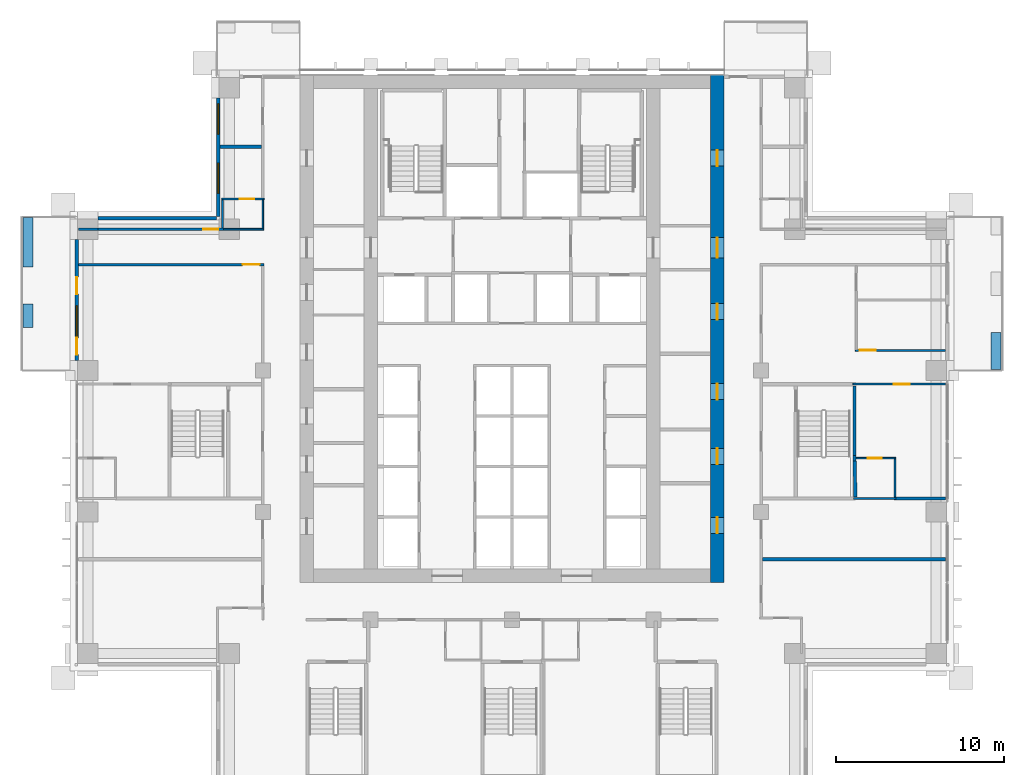
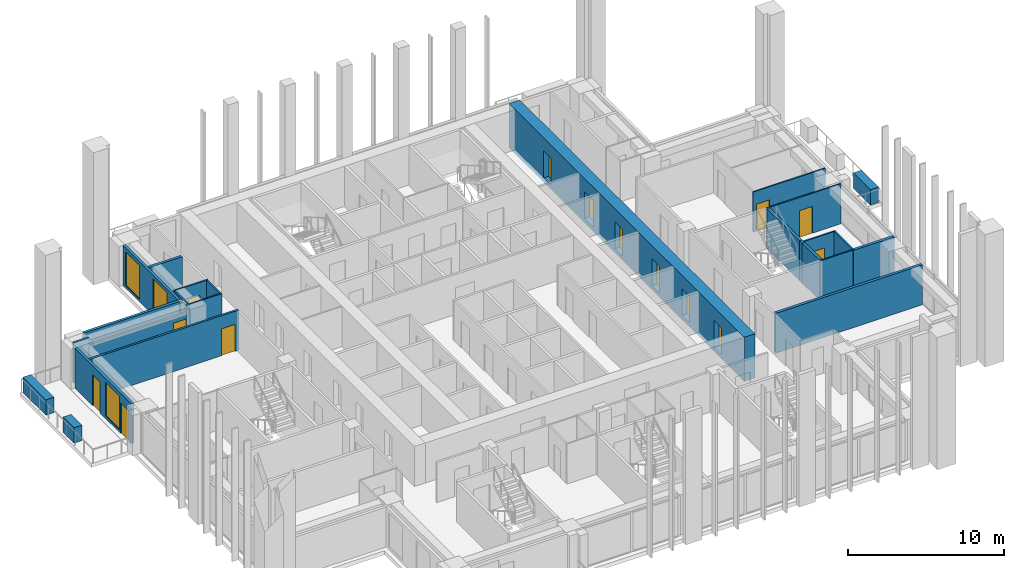
# One storey, part 10 of 18: 26 walls, 14 doors, 3 windows, 17 openings.
"""IFC4 building model written with IfcOpenShell, lengths in metres."""

from ifc_helpers import new_model, si_unit, direction, frame, frame_2d, origin, place, context, subcontext, project, spatial, rectangle, extrude, material, layer, layer_set, type_object, element, fill, save


model = new_model("IFC4")

# Units and contexts
model_context = context("Model", 3, precision=1e-05, world=origin(), true_north=direction((0.0, 1.0)))
body_context = subcontext(model_context, "Body", "Model", "MODEL_VIEW")
ifc_project = project(units=[si_unit("LENGTHUNIT", "METRE"), si_unit("AREAUNIT", "SQUARE_METRE"), si_unit("VOLUMEUNIT", "CUBIC_METRE"), si_unit("PLANEANGLEUNIT", "RADIAN"), si_unit("MASSUNIT", "GRAM", prefix="KILO")], contexts=[model_context])

# Site, building, storey
site_placement = place(None, origin())
site = spatial("IfcSite", under=ifc_project, at=site_placement, CompositionType="ELEMENT")
building_placement = place(site_placement, origin())
building = spatial("IfcBuilding", under=site, at=building_placement, Name="Vermilion Ogive Tower", CompositionType="ELEMENT")
storey_placement = place(building_placement, frame((0.0, 0.0, 80.39990234375)))
storey = spatial("IfcBuildingStorey", under=building, at=storey_placement, Name="L19", CompositionType="ELEMENT", Elevation=80.39990234375)

# Wall, openings, doors
ifc_material_1 = material(Name="Concrete B80", Category="concrete")
ifc_layer_1 = layer(ifc_material_1, 0.800048828125)
ifc_layer_set_1 = layer_set([ifc_layer_1], Name="Core wall 800 B80")
wall_type_1 = type_object("IfcWallType", Name="Core wall 800 B80", PredefinedType="SHEAR", material=ifc_layer_set_1)
wall_1_placement = place(storey_placement, frame((12.199951171875, -8.39990234375, -0.31982421875), z_axis=(0.0, 0.0, 1.0), x_axis=(0.0, 1.0, 0.0)))
wall_1 = element("IfcWall", 1, at=wall_1_placement, inside=storey, type_object=wall_type_1, Name="L19-CORE-E", PredefinedType="SHEAR", context=body_context, shape_type="SweptSolid", body=[
    extrude(rectangle(XDim=30.14990234375, YDim=0.800048828125, at=frame_2d((15.074951171875, 0.0))), origin(), (0.0, 0.0, 1.0), 3.449951171875),
])
opening_1_placement = place(wall_1_placement, frame((2.925048828125, 0.0, 0.320068359375)))
opening_1 = element("IfcOpeningElement", 2, at=opening_1_placement, cuts=wall_1, Name="Opening DAC034", PredefinedType="OPENING", context=body_context, shape_type="SweptSolid", body=[
    extrude(rectangle(XDim=0.949951171875, YDim=2.10009765625, at=frame_2d((0.47509765625, 1.050048828125))), frame((0.0, 0.409912109375, 0.0), z_axis=(0.0, -1.0, 0.0), x_axis=(1.0, 0.0, 0.0)), (0.0, 0.0, 1.0), 0.820068359375),
])
opening_2_placement = place(wall_1_placement, frame((7.02490234375, 0.0, 0.320068359375)))
opening_2 = element("IfcOpeningElement", 3, at=opening_2_placement, cuts=wall_1, Name="Opening DAC035", PredefinedType="OPENING", context=body_context, shape_type="SweptSolid", body=[
    extrude(rectangle(XDim=0.949951171875, YDim=2.10009765625, at=frame_2d((0.47509765625, 1.050048828125))), frame((0.0, 0.409912109375, 0.0), z_axis=(0.0, -1.0, 0.0), x_axis=(1.0, 0.0, 0.0)), (0.0, 0.0, 1.0), 0.820068359375),
])
opening_3_placement = place(wall_1_placement, frame((10.875, 0.0, 0.320068359375)))
opening_3 = element("IfcOpeningElement", 4, at=opening_3_placement, cuts=wall_1, Name="Opening DAC036", PredefinedType="OPENING", context=body_context, shape_type="SweptSolid", body=[
    extrude(rectangle(XDim=0.949951171875, YDim=2.10009765625, at=frame_2d((0.47509765625, 1.050048828125))), frame((0.0, 0.409912109375, 0.0), z_axis=(0.0, -1.0, 0.0), x_axis=(1.0, 0.0, 0.0)), (0.0, 0.0, 1.0), 0.820068359375),
])
opening_4_placement = place(wall_1_placement, frame((15.625, 0.0, 0.320068359375)))
opening_4 = element("IfcOpeningElement", 5, at=opening_4_placement, cuts=wall_1, Name="Opening DAC037", PredefinedType="OPENING", context=body_context, shape_type="SweptSolid", body=[
    extrude(rectangle(XDim=0.949951171875, YDim=2.10009765625, at=frame_2d((0.47509765625, 1.050048828125))), frame((0.0, 0.409912109375, 0.0), z_axis=(0.0, -1.0, 0.0), x_axis=(1.0, 0.0, 0.0)), (0.0, 0.0, 1.0), 0.820068359375),
])
opening_5_placement = place(wall_1_placement, frame((24.75, 0.0, 0.320068359375)))
opening_5 = element("IfcOpeningElement", 6, at=opening_5_placement, cuts=wall_1, Name="Opening DAC038", PredefinedType="OPENING", context=body_context, shape_type="SweptSolid", body=[
    extrude(rectangle(XDim=0.949951171875, YDim=2.10009765625, at=frame_2d((0.47509765625, 1.050048828125))), frame((0.0, 0.409912109375, 0.0), z_axis=(0.0, -1.0, 0.0), x_axis=(1.0, 0.0, 0.0)), (0.0, 0.0, 1.0), 0.820068359375),
])
opening_6_placement = place(wall_1_placement, frame((19.300048828125, 0.0, 0.320068359375)))
opening_6 = element("IfcOpeningElement", 7, at=opening_6_placement, cuts=wall_1, Name="Opening DAL007", PredefinedType="OPENING", context=body_context, shape_type="SweptSolid", body=[
    extrude(rectangle(XDim=1.199951171875, YDim=2.10009765625, at=frame_2d((0.60009765625, 1.050048828125))), frame((0.0, 0.409912109375, 0.0), z_axis=(0.0, -1.0, 0.0), x_axis=(1.0, 0.0, 0.0)), (0.0, 0.0, 1.0), 0.820068359375),
])
ifc_material_2 = material(Name="Timber door leaf", Category="wood")
door_type_1 = type_object("IfcDoorType", Name="Link door 1200 x 2100 FD60S", OperationType="SINGLE_SWING_LEFT", PredefinedType="DOOR", material=ifc_material_2)
door_1_placement = place(opening_6_placement, origin())
door_1 = element("IfcDoor", 8, at=door_1_placement, inside=storey, type_object=door_type_1, Name="L19-CKE-XL", OperationType="SINGLE_SWING_LEFT", OverallHeight=2.10009765625, OverallWidth=1.199951171875, PredefinedType="DOOR", context=body_context, shape_type="SweptSolid", body=[
    extrude(rectangle(XDim=1.199951171875, YDim=2.10009765625, at=frame_2d((0.60009765625, 1.050048828125))), frame((0.0, 0.02490234375, 0.0), z_axis=(0.0, -1.0, 0.0), x_axis=(1.0, 0.0, 0.0)), (0.0, 0.0, 1.0), 0.050048828125),
])
fill(opening_6, door_1)
ifc_material_3 = material(Name="Timber door leaf", Category="wood")
door_type_2 = type_object("IfcDoorType", Name="Service door 950 x 2100 FD60", OperationType="SINGLE_SWING_LEFT", PredefinedType="DOOR", material=ifc_material_3)
door_2_placement = place(opening_1_placement, origin())
door_2 = element("IfcDoor", 9, at=door_2_placement, inside=storey, type_object=door_type_2, Name="L19-CKE-XR0", OperationType="SINGLE_SWING_LEFT", OverallHeight=2.10009765625, OverallWidth=0.949951171875, PredefinedType="DOOR", context=body_context, shape_type="SweptSolid", body=[
    extrude(rectangle(XDim=0.949951171875, YDim=2.10009765625, at=frame_2d((0.47509765625, 1.050048828125))), frame((0.0, 0.02490234375, 0.0), z_axis=(0.0, -1.0, 0.0), x_axis=(1.0, 0.0, 0.0)), (0.0, 0.0, 1.0), 0.050048828125),
])
fill(opening_1, door_2)
door_3_placement = place(opening_2_placement, origin())
door_3 = element("IfcDoor", 10, at=door_3_placement, inside=storey, type_object=door_type_2, Name="L19-CKE-XR1", OperationType="SINGLE_SWING_LEFT", OverallHeight=2.10009765625, OverallWidth=0.949951171875, PredefinedType="DOOR", context=body_context, shape_type="SweptSolid", body=[
    extrude(rectangle(XDim=0.949951171875, YDim=2.10009765625, at=frame_2d((0.47509765625, 1.050048828125))), frame((0.0, 0.02490234375, 0.0), z_axis=(0.0, -1.0, 0.0), x_axis=(1.0, 0.0, 0.0)), (0.0, 0.0, 1.0), 0.050048828125),
])
fill(opening_2, door_3)
door_4_placement = place(opening_3_placement, origin())
door_4 = element("IfcDoor", 11, at=door_4_placement, inside=storey, type_object=door_type_2, Name="L19-CKE-XR2", OperationType="SINGLE_SWING_LEFT", OverallHeight=2.10009765625, OverallWidth=0.949951171875, PredefinedType="DOOR", context=body_context, shape_type="SweptSolid", body=[
    extrude(rectangle(XDim=0.949951171875, YDim=2.10009765625, at=frame_2d((0.47509765625, 1.050048828125))), frame((0.0, 0.02490234375, 0.0), z_axis=(0.0, -1.0, 0.0), x_axis=(1.0, 0.0, 0.0)), (0.0, 0.0, 1.0), 0.050048828125),
])
fill(opening_3, door_4)
door_5_placement = place(opening_4_placement, origin())
door_5 = element("IfcDoor", 12, at=door_5_placement, inside=storey, type_object=door_type_2, Name="L19-CKE-XR3", OperationType="SINGLE_SWING_LEFT", OverallHeight=2.10009765625, OverallWidth=0.949951171875, PredefinedType="DOOR", context=body_context, shape_type="SweptSolid", body=[
    extrude(rectangle(XDim=0.949951171875, YDim=2.10009765625, at=frame_2d((0.47509765625, 1.050048828125))), frame((0.0, 0.02490234375, 0.0), z_axis=(0.0, -1.0, 0.0), x_axis=(1.0, 0.0, 0.0)), (0.0, 0.0, 1.0), 0.050048828125),
])
fill(opening_4, door_5)
door_6_placement = place(opening_5_placement, origin())
door_6 = element("IfcDoor", 13, at=door_6_placement, inside=storey, type_object=door_type_2, Name="L19-CKE-XR4", OperationType="SINGLE_SWING_LEFT", OverallHeight=2.10009765625, OverallWidth=0.949951171875, PredefinedType="DOOR", context=body_context, shape_type="SweptSolid", body=[
    extrude(rectangle(XDim=0.949951171875, YDim=2.10009765625, at=frame_2d((0.47509765625, 1.050048828125))), frame((0.0, 0.02490234375, 0.0), z_axis=(0.0, -1.0, 0.0), x_axis=(1.0, 0.0, 0.0)), (0.0, 0.0, 1.0), 0.050048828125),
])
fill(opening_5, door_6)

# Wall
ifc_material_4 = material(Name="Gypsum board partition on steel studs", Category="steel")
ifc_layer_2 = layer(ifc_material_4, 0.10009765625)
ifc_layer_set_2 = layer_set([ifc_layer_2], Name="Partition 100 bath")
wall_type_2 = type_object("IfcWallType", Name="Partition 100 bath", PredefinedType="PARTITIONING", material=ifc_layer_set_2)
wall_2_placement = place(storey_placement, frame((20.300048828125, -3.39990234375, 0.0), z_axis=(0.0, 0.0, 1.0), x_axis=(1.0, 0.0, 0.0)))
element("IfcWall", 14, at=wall_2_placement, inside=storey, type_object=wall_type_2, Name="L19-W-W019", PredefinedType="PARTITIONING", context=body_context, shape_type="SweptSolid", body=[
    extrude(rectangle(XDim=2.5, YDim=0.10009765625, at=frame_2d((1.25, 0.0))), origin(), (0.0, 0.0, 1.0), 3.130126953125),
])

# Wall, opening, door
wall_3_placement = place(storey_placement, frame((20.449951171875, -1.0, 0.0), z_axis=(0.0, 0.0, 1.0), x_axis=(1.0, 0.0, 0.0)))
wall_3 = element("IfcWall", 15, at=wall_3_placement, inside=storey, type_object=wall_type_2, Name="L19-W-W022", PredefinedType="PARTITIONING", context=body_context, shape_type="SweptSolid", body=[
    extrude(rectangle(XDim=2.35009765625, YDim=0.10009765625, at=frame_2d((1.175048828125, 0.0))), origin(), (0.0, 0.0, 1.0), 3.130126953125),
])
opening_7_placement = place(wall_3_placement, frame((0.675048828125, 0.0, 0.0)))
opening_7 = element("IfcOpeningElement", 16, at=opening_7_placement, cuts=wall_3, Name="Opening D2G1019", PredefinedType="OPENING", context=body_context, shape_type="SweptSolid", body=[
    extrude(rectangle(XDim=0.85009765625, YDim=2.10009765625, at=frame_2d((0.425048828125, 1.050048828125))), frame((0.0, 0.06005859375, 0.0), z_axis=(0.0, -1.0, 0.0), x_axis=(1.0, 0.0, 0.0)), (0.0, 0.0, 1.0), 0.1201171875),
])
ifc_material_5 = material(Name="Timber door leaf", Category="wood")
door_type_3 = type_object("IfcDoorType", Name="Bath door 850 x 2100 FD30", OperationType="SINGLE_SWING_LEFT", PredefinedType="DOOR", material=ifc_material_5)
door_7_placement = place(opening_7_placement, origin())
door_7 = element("IfcDoor", 17, at=door_7_placement, inside=storey, type_object=door_type_3, Name="L19-D-D019", OperationType="SINGLE_SWING_RIGHT", OverallHeight=2.10009765625, OverallWidth=0.85009765625, PredefinedType="DOOR", context=body_context, shape_type="SweptSolid", body=[
    extrude(rectangle(XDim=0.85009765625, YDim=2.10009765625, at=frame_2d((0.425048828125, 1.050048828125))), frame((0.0, 0.02490234375, 0.0), z_axis=(0.0, -1.0, 0.0), x_axis=(1.0, 0.0, 0.0)), (0.0, 0.0, 1.0), 0.050048828125),
])
fill(opening_7, door_7)

# Wall
wall_4_placement = place(storey_placement, frame((-17.25, 12.60009765625, 0.0), z_axis=(0.0, 0.0, 1.0), x_axis=(1.0, 0.0, 0.0)))
element("IfcWall", 18, at=wall_4_placement, inside=storey, type_object=wall_type_2, Name="L19-W-W032", PredefinedType="PARTITIONING", context=body_context, shape_type="SweptSolid", body=[
    extrude(rectangle(XDim=2.5, YDim=0.10009765625, at=frame_2d((1.25, 0.0))), origin(), (0.0, 0.0, 1.0), 3.130126953125),
])

# Wall, opening, door
wall_5_placement = place(storey_placement, frame((-17.25, 14.39990234375, 0.0), z_axis=(0.0, 0.0, 1.0), x_axis=(1.0, 0.0, 0.0)))
wall_5 = element("IfcWall", 19, at=wall_5_placement, inside=storey, type_object=wall_type_2, Name="L19-W-W035", PredefinedType="PARTITIONING", context=body_context, shape_type="SweptSolid", body=[
    extrude(rectangle(XDim=2.52490234375, YDim=0.10009765625, at=frame_2d((1.262451171875, 0.0))), origin(), (0.0, 0.0, 1.0), 3.130126953125),
])
opening_8_placement = place(wall_5_placement, frame((1.074951171875, 0.0, 0.0)))
opening_8 = element("IfcOpeningElement", 20, at=opening_8_placement, cuts=wall_5, Name="Opening D2G1007", PredefinedType="OPENING", context=body_context, shape_type="SweptSolid", body=[
    extrude(rectangle(XDim=0.85009765625, YDim=2.10009765625, at=frame_2d((0.425048828125, 1.050048828125))), frame((0.0, 0.06005859375, 0.0), z_axis=(0.0, -1.0, 0.0), x_axis=(1.0, 0.0, 0.0)), (0.0, 0.0, 1.0), 0.1201171875),
])
door_8_placement = place(opening_8_placement, origin())
door_8 = element("IfcDoor", 21, at=door_8_placement, inside=storey, type_object=door_type_3, Name="L19-D-D007", OperationType="SINGLE_SWING_RIGHT", OverallHeight=2.10009765625, OverallWidth=0.85009765625, PredefinedType="DOOR", context=body_context, shape_type="SweptSolid", body=[
    extrude(rectangle(XDim=0.85009765625, YDim=2.10009765625, at=frame_2d((0.425048828125, 1.050048828125))), frame((0.0, 0.02490234375, 0.0), z_axis=(0.0, -1.0, 0.0), x_axis=(1.0, 0.0, 0.0)), (0.0, 0.0, 1.0), 0.050048828125),
])
fill(opening_8, door_8)

# Walls
wall_6_placement = place(storey_placement, frame((-17.199951171875, 12.675048828125, 0.0), z_axis=(0.0, 0.0, 1.0), x_axis=(0.0, 1.0, 0.0)))
element("IfcWall", 22, at=wall_6_placement, inside=storey, type_object=wall_type_2, Name="L19-W-W042", PredefinedType="PARTITIONING", context=body_context, shape_type="SweptSolid", body=[
    extrude(rectangle(XDim=1.675048828125, YDim=0.10009765625, at=frame_2d((0.83740234375, 0.0))), origin(), (0.0, 0.0, 1.0), 3.130126953125),
])
wall_7_placement = place(storey_placement, frame((-14.800048828125, 12.64990234375, 0.0), z_axis=(0.0, 0.0, 1.0), x_axis=(0.0, 1.0, 0.0)))
element("IfcWall", 23, at=wall_7_placement, inside=storey, type_object=wall_type_2, Name="L19-W-W046", PredefinedType="PARTITIONING", context=body_context, shape_type="SweptSolid", body=[
    extrude(rectangle(XDim=1.7001953125, YDim=0.10009765625, at=frame_2d((0.85009765625, 0.0))), origin(), (0.0, 0.0, 1.0), 3.130126953125),
])
wall_8_placement = place(storey_placement, frame((22.75, -3.300048828125, 0.0), z_axis=(0.0, 0.0, 1.0), x_axis=(0.0, 1.0, 0.0)))
element("IfcWall", 24, at=wall_8_placement, inside=storey, type_object=wall_type_2, Name="L19-W-W066", PredefinedType="PARTITIONING", context=body_context, shape_type="SweptSolid", body=[
    extrude(rectangle(XDim=2.25, YDim=0.10009765625, at=frame_2d((1.125, 0.0))), origin(), (0.0, 0.0, 1.0), 3.130126953125),
])

# Wall, opening, door
ifc_material_6 = material(Name="Gypsum board partition on steel studs", Category="steel")
ifc_layer_3 = layer(ifc_material_6, 0.10009765625)
ifc_layer_set_3 = layer_set([ifc_layer_3], Name="Partition 100 inner")
wall_type_3 = type_object("IfcWallType", Name="Partition 100 inner", PredefinedType="PARTITIONING", material=ifc_layer_set_3)
wall_9_placement = place(storey_placement, frame((20.25, 3.39990234375, 0.0), z_axis=(0.0, 0.0, 1.0), x_axis=(1.0, 0.0, 0.0)))
wall_9 = element("IfcWall", 25, at=wall_9_placement, inside=storey, type_object=wall_type_3, Name="L19-W-W026", PredefinedType="PARTITIONING", context=body_context, shape_type="SweptSolid", body=[
    extrude(rectangle(XDim=5.5, YDim=0.10009765625, at=frame_2d((2.75, 0.0))), origin(), (0.0, 0.0, 1.0), 3.130126953125),
])
opening_9_placement = place(wall_9_placement, frame((2.425048828125, 0.0, 0.0)))
opening_9 = element("IfcOpeningElement", 26, at=opening_9_placement, cuts=wall_9, Name="Opening D2G1018", PredefinedType="OPENING", context=body_context, shape_type="SweptSolid", body=[
    extrude(rectangle(XDim=0.949951171875, YDim=2.10009765625, at=frame_2d((0.47509765625, 1.050048828125))), frame((0.0, 0.06005859375, 0.0), z_axis=(0.0, -1.0, 0.0), x_axis=(1.0, 0.0, 0.0)), (0.0, 0.0, 1.0), 0.1201171875),
])
ifc_material_7 = material(Name="Timber door leaf", Category="wood")
door_type_4 = type_object("IfcDoorType", Name="Inner door 950 x 2100 FD30", OperationType="SINGLE_SWING_LEFT", PredefinedType="DOOR", material=ifc_material_7)
door_9_placement = place(opening_9_placement, origin())
door_9 = element("IfcDoor", 27, at=door_9_placement, inside=storey, type_object=door_type_4, Name="L19-D-D018", OperationType="SINGLE_SWING_LEFT", OverallHeight=2.10009765625, OverallWidth=0.949951171875, PredefinedType="DOOR", context=body_context, shape_type="SweptSolid", body=[
    extrude(rectangle(XDim=0.949951171875, YDim=2.10009765625, at=frame_2d((0.47509765625, 1.050048828125))), frame((0.0, 0.02490234375, 0.0), z_axis=(0.0, -1.0, 0.0), x_axis=(1.0, 0.0, 0.0)), (0.0, 0.0, 1.0), 0.050048828125),
])
fill(opening_9, door_9)

wall_10_placement = place(storey_placement, frame((20.39990234375, 5.39990234375, 0.0), z_axis=(0.0, 0.0, 1.0), x_axis=(1.0, 0.0, 0.0)))
wall_10 = element("IfcWall", 28, at=wall_10_placement, inside=storey, type_object=wall_type_3, Name="L19-W-W027", PredefinedType="PARTITIONING", context=body_context, shape_type="SweptSolid", body=[
    extrude(rectangle(XDim=5.35009765625, YDim=0.10009765625, at=frame_2d((2.675048828125, 0.0))), origin(), (0.0, 0.0, 1.0), 3.130126953125),
])
opening_10_placement = place(wall_10_placement, frame((0.25, 0.0, 0.0)))
opening_10 = element("IfcOpeningElement", 29, at=opening_10_placement, cuts=wall_10, Name="Opening D2G1015", PredefinedType="OPENING", context=body_context, shape_type="SweptSolid", body=[
    extrude(rectangle(XDim=0.949951171875, YDim=2.10009765625, at=frame_2d((0.47509765625, 1.050048828125))), frame((0.0, 0.06005859375, 0.0), z_axis=(0.0, -1.0, 0.0), x_axis=(1.0, 0.0, 0.0)), (0.0, 0.0, 1.0), 0.1201171875),
])
door_10_placement = place(opening_10_placement, origin())
door_10 = element("IfcDoor", 30, at=door_10_placement, inside=storey, type_object=door_type_4, Name="L19-D-D015", OperationType="SINGLE_SWING_LEFT", OverallHeight=2.10009765625, OverallWidth=0.949951171875, PredefinedType="DOOR", context=body_context, shape_type="SweptSolid", body=[
    extrude(rectangle(XDim=0.949951171875, YDim=2.10009765625, at=frame_2d((0.47509765625, 1.050048828125))), frame((0.0, 0.02490234375, 0.0), z_axis=(0.0, -1.0, 0.0), x_axis=(1.0, 0.0, 0.0)), (0.0, 0.0, 1.0), 0.050048828125),
])
fill(opening_10, door_10)

ifc_material_8 = material(Name="Gypsum board partition on steel studs", Category="steel")
ifc_layer_4 = layer(ifc_material_8, 0.14990234375)
ifc_layer_set_4 = layer_set([ifc_layer_4], Name="Partition 150 corridor")
wall_type_4 = type_object("IfcWallType", Name="Partition 150 corridor", PredefinedType="PARTITIONING", material=ifc_layer_set_4)
wall_11_placement = place(storey_placement, frame((-25.75, 10.5, 0.0), z_axis=(0.0, 0.0, 1.0), x_axis=(1.0, 0.0, 0.0)))
wall_11 = element("IfcWall", 31, at=wall_11_placement, inside=storey, type_object=wall_type_4, Name="L19-W-W029", PredefinedType="PARTITIONING", context=body_context, shape_type="SweptSolid", body=[
    extrude(rectangle(XDim=11.02490234375, YDim=0.14990234375, at=frame_2d((5.512451171875, 0.0))), origin(), (0.0, 0.0, 1.0), 3.130126953125),
])
opening_11_placement = place(wall_11_placement, frame((9.75, 0.0, 0.0)))
opening_11 = element("IfcOpeningElement", 32, at=opening_11_placement, cuts=wall_11, Name="Opening D2G1003", PredefinedType="OPENING", context=body_context, shape_type="SweptSolid", body=[
    extrude(rectangle(XDim=1.0, YDim=2.10009765625, at=frame_2d((0.5, 1.050048828125))), frame((0.0, 0.0849609375, 0.0), z_axis=(0.0, -1.0, 0.0), x_axis=(1.0, 0.0, 0.0)), (0.0, 0.0, 1.0), 0.169921875),
])
ifc_material_9 = material(Name="Timber door leaf", Category="wood")
door_type_5 = type_object("IfcDoorType", Name="Unit door 1000 x 2100 FD30S", OperationType="SINGLE_SWING_LEFT", PredefinedType="DOOR", material=ifc_material_9)
door_11_placement = place(opening_11_placement, origin())
door_11 = element("IfcDoor", 33, at=door_11_placement, inside=storey, type_object=door_type_5, Name="L19-D-D003", OperationType="SINGLE_SWING_RIGHT", OverallHeight=2.10009765625, OverallWidth=1.0, PredefinedType="DOOR", context=body_context, shape_type="SweptSolid", body=[
    extrude(rectangle(XDim=1.0, YDim=2.10009765625, at=frame_2d((0.5, 1.050048828125))), frame((0.0, 0.02490234375, 0.0), z_axis=(0.0, -1.0, 0.0), x_axis=(1.0, 0.0, 0.0)), (0.0, 0.0, 1.0), 0.050048828125),
])
fill(opening_11, door_11)

# Wall
wall_12_placement = place(storey_placement, frame((-25.75, 12.60009765625, 0.0), z_axis=(0.0, 0.0, 1.0), x_axis=(1.0, 0.0, 0.0)))
element("IfcWall", 34, at=wall_12_placement, inside=storey, type_object=wall_type_4, Name="L19-W-W031", PredefinedType="PARTITIONING", context=body_context, shape_type="SweptSolid", body=[
    extrude(rectangle(XDim=1.14990234375, YDim=0.14990234375, at=frame_2d((0.574951171875, 0.0))), origin(), (0.0, 0.0, 1.0), 3.130126953125),
])

# Wall, opening, door
wall_13_placement = place(storey_placement, frame((-24.60009765625, 12.60009765625, 0.0), z_axis=(0.0, 0.0, 1.0), x_axis=(1.0, 0.0, 0.0)))
wall_13 = element("IfcWall", 35, at=wall_13_placement, inside=storey, type_object=wall_type_4, Name="L19-W-W031-h1", PredefinedType="PARTITIONING", context=body_context, shape_type="SweptSolid", body=[
    extrude(rectangle(XDim=7.2001953125, YDim=0.14990234375, at=frame_2d((3.60009765625, 0.0))), origin(), (0.0, 0.0, 1.0), 2.580078125),
])
opening_12_placement = place(wall_13_placement, frame((6.25, 0.0, 0.0)))
opening_12 = element("IfcOpeningElement", 36, at=opening_12_placement, cuts=wall_13, Name="Opening D2G1006", PredefinedType="OPENING", context=body_context, shape_type="SweptSolid", body=[
    extrude(rectangle(XDim=0.949951171875, YDim=2.10009765625, at=frame_2d((0.47509765625, 1.050048828125))), frame((0.0, 0.0849609375, 0.0), z_axis=(0.0, -1.0, 0.0), x_axis=(1.0, 0.0, 0.0)), (0.0, 0.0, 1.0), 0.169921875),
])
ifc_material_10 = material(Name="Timber door leaf", Category="wood")
door_type_6 = type_object("IfcDoorType", Name="Unit door 950 x 2100 FD30S", OperationType="SINGLE_SWING_LEFT", PredefinedType="DOOR", material=ifc_material_10)
door_12_placement = place(opening_12_placement, origin())
door_12 = element("IfcDoor", 37, at=door_12_placement, inside=storey, type_object=door_type_6, Name="L19-D-D006", OperationType="SINGLE_SWING_LEFT", OverallHeight=2.10009765625, OverallWidth=0.949951171875, PredefinedType="DOOR", context=body_context, shape_type="SweptSolid", body=[
    extrude(rectangle(XDim=0.949951171875, YDim=2.10009765625, at=frame_2d((0.47509765625, 1.050048828125))), frame((0.0, 0.02490234375, 0.0), z_axis=(0.0, -1.0, 0.0), x_axis=(1.0, 0.0, 0.0)), (0.0, 0.0, 1.0), 0.050048828125),
])
fill(opening_12, door_12)

# Walls
wall_14_placement = place(storey_placement, frame((-17.39990234375, 12.60009765625, 0.0), z_axis=(0.0, 0.0, 1.0), x_axis=(1.0, 0.0, 0.0)))
element("IfcWall", 38, at=wall_14_placement, inside=storey, type_object=wall_type_4, Name="L19-W-W031-h2", PredefinedType="PARTITIONING", context=body_context, shape_type="SweptSolid", body=[
    extrude(rectangle(XDim=0.25, YDim=0.14990234375, at=frame_2d((0.125, 0.0))), origin(), (0.0, 0.0, 1.0), 3.130126953125),
])
ifc_material_11 = material(Name="Gypsum board partition on steel studs", Category="steel")
ifc_layer_5 = layer(ifc_material_11, 0.199951171875)
ifc_layer_set_5 = layer_set([ifc_layer_5], Name="Partition 200 party")
wall_type_5 = type_object("IfcWallType", Name="Partition 200 party", PredefinedType="PARTITIONING", material=ifc_layer_set_5)
wall_15_placement = place(storey_placement, frame((14.875, -7.0, 0.0), z_axis=(0.0, 0.0, 1.0), x_axis=(1.0, 0.0, 0.0)))
element("IfcWall", 39, at=wall_15_placement, inside=storey, type_object=wall_type_5, Name="L19-W-W015", PredefinedType="PARTITIONING", context=body_context, shape_type="SweptSolid", body=[
    extrude(rectangle(XDim=10.875, YDim=0.199951171875, at=frame_2d((5.4375, 0.0))), origin(), (0.0, 0.0, 1.0), 3.130126953125),
])
wall_16_placement = place(storey_placement, frame((22.699951171875, -3.39990234375, 0.0), z_axis=(0.0, 0.0, 1.0), x_axis=(1.0, 0.0, 0.0)))
element("IfcWall", 40, at=wall_16_placement, inside=storey, type_object=wall_type_5, Name="L19-W-W020", PredefinedType="PARTITIONING", context=body_context, shape_type="SweptSolid", body=[
    extrude(rectangle(XDim=3.050048828125, YDim=0.199951171875, at=frame_2d((1.52490234375, 0.0))), origin(), (0.0, 0.0, 1.0), 3.130126953125),
])
wall_17_placement = place(storey_placement, frame((-17.35009765625, 17.5, 0.0), z_axis=(0.0, 0.0, 1.0), x_axis=(1.0, 0.0, 0.0)))
element("IfcWall", 41, at=wall_17_placement, inside=storey, type_object=wall_type_5, Name="L19-W-W037", PredefinedType="PARTITIONING", context=body_context, shape_type="SweptSolid", body=[
    extrude(rectangle(XDim=2.47509765625, YDim=0.199951171875, at=frame_2d((1.237548828125, 0.0))), origin(), (0.0, 0.0, 1.0), 3.130126953125),
])
ifc_material_12 = material(Name="Concrete B60", Category="concrete")
ifc_layer_6 = layer(ifc_material_12, 0.199951171875)
ifc_layer_set_6 = layer_set([ifc_layer_6], Name="Stair shaft wall 200 Concrete B60")
wall_type_6 = type_object("IfcWallType", Name="Stair shaft wall 200 Concrete B60", PredefinedType="SOLIDWALL", material=ifc_layer_set_6)
wall_18_placement = place(storey_placement, frame((20.400146484375, -3.300048828125, 0.0), z_axis=(0.0, 0.0, 1.0), x_axis=(-0.021771342749, 0.999762976227, 0.0)))
element("IfcWall", 42, at=wall_18_placement, inside=storey, type_object=wall_type_6, Name="L19-W-W063", PredefinedType="SOLIDWALL", context=body_context, shape_type="SweptSolid", body=[
    extrude(rectangle(XDim=2.130615234375, YDim=0.199951171875, at=frame_2d((1.0654296875, 0.0))), origin(), (0.0, 0.0, 1.0), 3.130126953125),
])
wall_19_placement = place(storey_placement, frame((20.35009765625, -0.830078125, 0.0), z_axis=(0.0, 0.0, 1.0), x_axis=(0.0, 1.0, 0.0)))
element("IfcWall", 43, at=wall_19_placement, inside=storey, type_object=wall_type_6, Name="L19-W-W064", PredefinedType="SOLIDWALL", context=body_context, shape_type="SweptSolid", body=[
    extrude(rectangle(XDim=4.130126953125, YDim=0.199951171875, at=frame_2d((2.06494140625, 0.0))), origin(), (0.0, 0.0, 1.0), 3.130126953125),
])
wall_20_placement = place(storey_placement, frame((20.35009765625, -1.169921875, 0.0), z_axis=(0.0, 0.0, 1.0), x_axis=(0.0, 1.0, 0.0)))
element("IfcWall", 44, at=wall_20_placement, inside=storey, type_object=wall_type_6, Name="L19-SW-ST8-E1", PredefinedType="SOLIDWALL", context=body_context, shape_type="SweptSolid", body=[
    extrude(rectangle(XDim=0.33984375, YDim=0.199951171875, at=frame_2d((0.169921875, 0.0))), origin(), (0.0, 0.0, 1.0), 3.130126953125),
])
ifc_material_13 = material(Name="Concrete B40", Category="concrete")
ifc_layer_7 = layer(ifc_material_13, 0.60009765625)
ifc_layer_set_7 = layer_set([ifc_layer_7], Name="Structural planter")
wall_type_7 = type_object("IfcWallType", Name="Structural planter", PredefinedType="USERDEFINED", material=ifc_layer_set_7)
wall_21_placement = place(storey_placement, frame((28.75, 4.260009765625, -0.039794921875), z_axis=(0.0, 0.0, 1.0), x_axis=(0.0, 1.0, 0.0)))
element("IfcWall", 45, at=wall_21_placement, inside=storey, type_object=wall_type_7, Name="Planter E03A1", ObjectType="PLANTER", PredefinedType="USERDEFINED", context=body_context, shape_type="SweptSolid", body=[
    extrude(rectangle(XDim=2.18994140625, YDim=0.60009765625, at=frame_2d((1.094970703125, 0.0))), origin(), (0.0, 0.0, 1.0), 1.199951171875),
])
wall_22_placement = place(storey_placement, frame((-28.75, 13.2900390625, -0.039794921875), z_axis=(0.0, 0.0, 1.0), x_axis=(0.0, -1.0, 0.0)))
element("IfcWall", 46, at=wall_22_placement, inside=storey, type_object=wall_type_7, Name="Planter W01A1", ObjectType="PLANTER", PredefinedType="USERDEFINED", context=body_context, shape_type="SweptSolid", body=[
    extrude(rectangle(XDim=2.93994140625, YDim=0.60009765625, at=frame_2d((1.469970703125, 0.0))), origin(), (0.0, 0.0, 1.0), 1.199951171875),
])
wall_23_placement = place(storey_placement, frame((-28.75, 8.14990234375, -0.039794921875), z_axis=(0.0, 0.0, 1.0), x_axis=(0.0, -1.0, 0.0)))
element("IfcWall", 47, at=wall_23_placement, inside=storey, type_object=wall_type_7, Name="Planter W01A2", ObjectType="PLANTER", PredefinedType="USERDEFINED", context=body_context, shape_type="SweptSolid", body=[
    extrude(rectangle(XDim=1.39990234375, YDim=0.60009765625, at=frame_2d((0.699951171875, 0.0))), origin(), (0.0, 0.0, 1.0), 1.199951171875),
])

# Wall, openings, windows
ifc_material_14 = material(Name="Aluminium window wall framing", Category="aluminium")
ifc_layer_8 = layer(ifc_material_14, 0.199951171875)
ifc_layer_set_8 = layer_set([ifc_layer_8], Name="Window wall")
wall_type_8 = type_object("IfcWallType", Name="Window wall", PredefinedType="STANDARD", material=ifc_layer_set_8)
wall_24_placement = place(storey_placement, frame((-17.449951171875, 20.39990234375, 0.0), z_axis=(0.0, 0.0, 1.0), x_axis=(0.0, -1.0, 0.0)))
wall_24 = element("IfcWall", 48, at=wall_24_placement, inside=storey, type_object=wall_type_8, Name="Window wall X51", PredefinedType="STANDARD", context=body_context, shape_type="SweptSolid", body=[
    extrude(rectangle(XDim=7.0498046875, YDim=0.199951171875, at=frame_2d((3.52490234375, 0.0))), origin(), (0.0, 0.0, 1.0), 3.130126953125),
])
opening_13_placement = place(wall_24_placement, frame((3.875, 0.0, 0.199951171875)))
opening_13 = element("IfcOpeningElement", 49, at=opening_13_placement, cuts=wall_24, Name="Opening W1-X503", PredefinedType="OPENING", context=body_context, shape_type="SweptSolid", body=[
    extrude(rectangle(XDim=1.800048828125, YDim=2.64990234375, at=frame_2d((0.89990234375, 1.324951171875))), frame((0.0, 0.10986328125, 0.0), z_axis=(0.0, -1.0, 0.0), x_axis=(1.0, 0.0, 0.0)), (0.0, 0.0, 1.0), 0.219970703125),
])
opening_14_placement = place(wall_24_placement, frame((0.35009765625, 0.0, 0.199951171875)))
opening_14 = element("IfcOpeningElement", 50, at=opening_14_placement, cuts=wall_24, Name="Opening W1-X504", PredefinedType="OPENING", context=body_context, shape_type="SweptSolid", body=[
    extrude(rectangle(XDim=1.800048828125, YDim=2.64990234375, at=frame_2d((0.89990234375, 1.324951171875))), frame((0.0, 0.10986328125, 0.0), z_axis=(0.0, -1.0, 0.0), x_axis=(1.0, 0.0, 0.0)), (0.0, 0.0, 1.0), 0.219970703125),
])
ifc_material_15 = material(Name="Aluminium framed double glazing", Category="aluminium")
window_type = type_object("IfcWindowType", Name="Guest window W1", PartitioningType="SINGLE_PANEL", PredefinedType="WINDOW", material=ifc_material_15)
window_1_placement = place(opening_13_placement, origin())
window_1 = element("IfcWindow", 51, at=window_1_placement, inside=storey, type_object=window_type, Name="Window X503", OverallHeight=2.64990234375, OverallWidth=1.800048828125, PartitioningType="SINGLE_PANEL", PredefinedType="WINDOW", context=body_context, shape_type="SweptSolid", body=[
    extrude(rectangle(XDim=1.800048828125, YDim=2.64990234375, at=frame_2d((0.89990234375, 1.324951171875))), frame((0.0, 0.030029296875, 0.0), z_axis=(0.0, -1.0, 0.0), x_axis=(1.0, 0.0, 0.0)), (0.0, 0.0, 1.0), 0.06005859375),
])
fill(opening_13, window_1)
window_2_placement = place(opening_14_placement, origin())
window_2 = element("IfcWindow", 52, at=window_2_placement, inside=storey, type_object=window_type, Name="Window X504", OverallHeight=2.64990234375, OverallWidth=1.800048828125, PartitioningType="SINGLE_PANEL", PredefinedType="WINDOW", context=body_context, shape_type="SweptSolid", body=[
    extrude(rectangle(XDim=1.800048828125, YDim=2.64990234375, at=frame_2d((0.89990234375, 1.324951171875))), frame((0.0, 0.030029296875, 0.0), z_axis=(0.0, -1.0, 0.0), x_axis=(1.0, 0.0, 0.0)), (0.0, 0.0, 1.0), 0.06005859375),
])
fill(opening_14, window_2)

# Wall
wall_25_placement = place(storey_placement, frame((-17.550048828125, 13.25, 0.0), z_axis=(0.0, 0.0, 1.0), x_axis=(-1.0, 0.0, 0.0)))
element("IfcWall", 53, at=wall_25_placement, inside=storey, type_object=wall_type_8, Name="Window wall X61", PredefinedType="STANDARD", context=body_context, shape_type="SweptSolid", body=[
    extrude(rectangle(XDim=7.050048828125, YDim=0.199951171875, at=frame_2d((3.52490234375, 0.0))), origin(), (0.0, 0.0, 1.0), 3.130126953125),
])

# Wall, openings, doors, window
wall_26_placement = place(storey_placement, frame((-25.85009765625, 12.0, 0.0), z_axis=(0.0, 0.0, 1.0), x_axis=(0.0, -1.0, 0.0)))
wall_26 = element("IfcWall", 54, at=wall_26_placement, inside=storey, type_object=wall_type_8, Name="Window wall W1", PredefinedType="STANDARD", context=body_context, shape_type="SweptSolid", body=[
    extrude(rectangle(XDim=7.199951171875, YDim=0.199951171875, at=frame_2d((3.60009765625, 0.0))), origin(), (0.0, 0.0, 1.0), 3.130126953125),
])
opening_15_placement = place(wall_26_placement, frame((3.949951171875, 0.0, 0.199951171875)))
opening_15 = element("IfcOpeningElement", 55, at=opening_15_placement, cuts=wall_26, Name="Opening W1-W01", PredefinedType="OPENING", context=body_context, shape_type="SweptSolid", body=[
    extrude(rectangle(XDim=1.800048828125, YDim=2.64990234375, at=frame_2d((0.89990234375, 1.324951171875))), frame((0.0, 0.10986328125, 0.0), z_axis=(0.0, -1.0, 0.0), x_axis=(1.0, 0.0, 0.0)), (0.0, 0.0, 1.0), 0.219970703125),
])
opening_16_placement = place(wall_26_placement, frame((5.85009765625, 0.0, 0.0)))
opening_16 = element("IfcOpeningElement", 56, at=opening_16_placement, cuts=wall_26, Name="Opening D1-W01", PredefinedType="OPENING", context=body_context, shape_type="SweptSolid", body=[
    extrude(rectangle(XDim=1.0, YDim=2.39990234375, at=frame_2d((0.5, 1.199951171875))), frame((0.0, 0.10986328125, 0.0), z_axis=(0.0, -1.0, 0.0), x_axis=(1.0, 0.0, 0.0)), (0.0, 0.0, 1.0), 0.219970703125),
])
opening_17_placement = place(wall_26_placement, frame((2.25, 0.0, 0.0)))
opening_17 = element("IfcOpeningElement", 57, at=opening_17_placement, cuts=wall_26, Name="Opening D1-W02", PredefinedType="OPENING", context=body_context, shape_type="SweptSolid", body=[
    extrude(rectangle(XDim=1.0, YDim=2.39990234375, at=frame_2d((0.5, 1.199951171875))), frame((0.0, 0.10986328125, 0.0), z_axis=(0.0, -1.0, 0.0), x_axis=(1.0, 0.0, 0.0)), (0.0, 0.0, 1.0), 0.219970703125),
])
ifc_material_16 = material(Name="Aluminium framed glazed door", Category="aluminium")
door_type_7 = type_object("IfcDoorType", Name="Balcony door D1", OperationType="SINGLE_SWING_LEFT", PredefinedType="DOOR", material=ifc_material_16)
door_13_placement = place(opening_16_placement, origin())
door_13 = element("IfcDoor", 58, at=door_13_placement, inside=storey, type_object=door_type_7, Name="Balcony door W01", OperationType="SINGLE_SWING_LEFT", OverallHeight=2.39990234375, OverallWidth=1.0, PredefinedType="DOOR", context=body_context, shape_type="SweptSolid", body=[
    extrude(rectangle(XDim=1.0, YDim=2.39990234375, at=frame_2d((0.5, 1.199951171875))), frame((0.0, 0.02490234375, 0.0), z_axis=(0.0, -1.0, 0.0), x_axis=(1.0, 0.0, 0.0)), (0.0, 0.0, 1.0), 0.050048828125),
])
fill(opening_16, door_13)
door_14_placement = place(opening_17_placement, origin())
door_14 = element("IfcDoor", 59, at=door_14_placement, inside=storey, type_object=door_type_7, Name="Balcony door W02", OperationType="SINGLE_SWING_LEFT", OverallHeight=2.39990234375, OverallWidth=1.0, PredefinedType="DOOR", context=body_context, shape_type="SweptSolid", body=[
    extrude(rectangle(XDim=1.0, YDim=2.39990234375, at=frame_2d((0.5, 1.199951171875))), frame((0.0, 0.02490234375, 0.0), z_axis=(0.0, -1.0, 0.0), x_axis=(1.0, 0.0, 0.0)), (0.0, 0.0, 1.0), 0.050048828125),
])
fill(opening_17, door_14)
window_3_placement = place(opening_15_placement, origin())
window_3 = element("IfcWindow", 60, at=window_3_placement, inside=storey, type_object=window_type, Name="Window W01", OverallHeight=2.64990234375, OverallWidth=1.800048828125, PartitioningType="SINGLE_PANEL", PredefinedType="WINDOW", context=body_context, shape_type="SweptSolid", body=[
    extrude(rectangle(XDim=1.800048828125, YDim=2.64990234375, at=frame_2d((0.89990234375, 1.324951171875))), frame((0.0, 0.030029296875, 0.0), z_axis=(0.0, -1.0, 0.0), x_axis=(1.0, 0.0, 0.0)), (0.0, 0.0, 1.0), 0.06005859375),
])
fill(opening_15, window_3)

save(model, "model.ifc")
